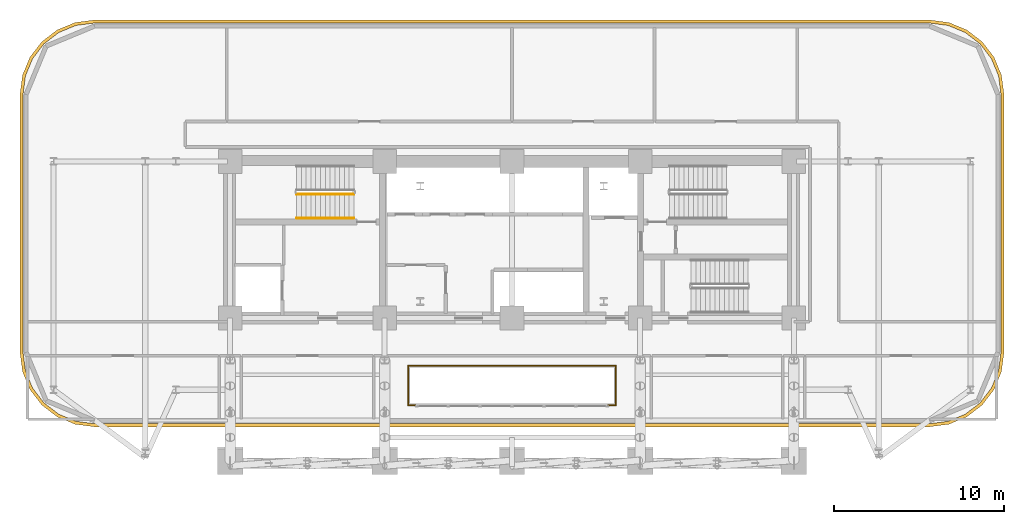
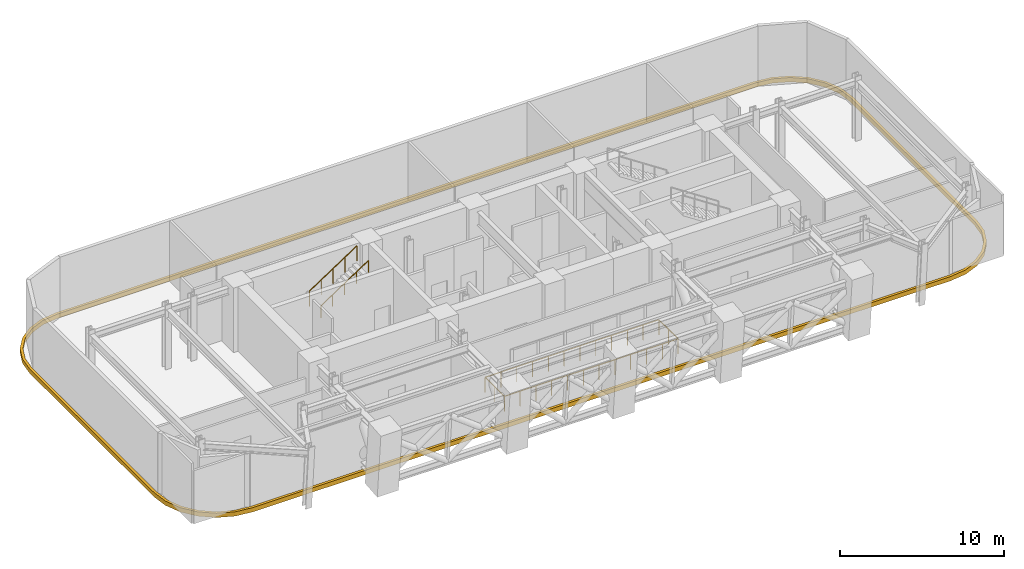
# One storey, part 11 of 12: 3 railings, 1 covering.
"""IFC4 building model written with IfcOpenShell, lengths in metres."""

import ifcopenshell
import ifcopenshell.guid

model = None  # the IFC model being written
_history = None  # IfcOwnerHistory: only IFC2X3 demands one
_inside = {}  # id of a spatial element -> (the spatial element, [elements in it])
_under = {}  # id of a project, library or spatial element -> (it, [spatial elements below it])
_declared = {}  # id of a project -> (the project, [libraries it declares])
_typed = {}  # id of a type object -> (the type object, [elements of that type])
_made_of = {}  # id of a material, layer set ... -> (it, [elements and type objects made of it])


def new_model(schema):
    """Start an empty IFC model of exactly this schema.

    Asked for "IFC4X3", IfcOpenShell would pick the latest addendum, in which some entities
    have other attributes; the version numbers below select the first issue.
    IFC2X3 requires an IfcOwnerHistory on every rooted entity: one is made here for all.
    """
    global model, _history
    if schema == "IFC4X3":
        model = ifcopenshell.file(schema_version=(4, 3, 0, 0))
    else:
        model = ifcopenshell.file(schema=schema)
    _inside.clear()
    _under.clear()
    _declared.clear()
    _typed.clear()
    _made_of.clear()
    _history = None
    if model.schema == "IFC2X3":
        org = make("IfcOrganization", Name="unknown")
        user = make(
            "IfcPersonAndOrganization",
            ThePerson=make("IfcPerson", FamilyName="unknown"),
            TheOrganization=org,
        )
        app = make(
            "IfcApplication",
            ApplicationDeveloper=org,
            Version="unknown",
            ApplicationFullName="unknown",
            ApplicationIdentifier="unknown",
        )
        _history = make(
            "IfcOwnerHistory",
            OwningUser=user,
            OwningApplication=app,
            ChangeAction="ADDED",
            CreationDate=0,
        )
    return model


def make(cls, **values):
    """One entity of the class cls with the attributes given. An attribute that is None is left unset."""
    return model.create_entity(
        cls, **{name: value for name, value in values.items() if value is not None}
    )


def rooted(cls, **values):
    """An entity with a GlobalId (a new one), such as an element, a storey or a relation."""
    return make(cls, GlobalId=ifcopenshell.guid.new(), OwnerHistory=_history, **values)


def si_unit(unit_type, name, prefix=None):
    """IfcSIUnit, for example si_unit("LENGTHUNIT", "METRE", prefix="MILLI")."""
    return make("IfcSIUnit", UnitType=unit_type, Prefix=prefix, Name=name)


def assignment(units):
    """IfcUnitAssignment: the units of a project."""
    return None if units is None else make("IfcUnitAssignment", Units=units)


def point(xyz):
    """IfcCartesianPoint."""
    return None if xyz is None else make("IfcCartesianPoint", Coordinates=xyz)


def direction(xyz):
    """IfcDirection."""
    return None if xyz is None else make("IfcDirection", DirectionRatios=xyz)


def frame(location, z_axis=None, x_axis=None):
    """IfcAxis2Placement3D, a coordinate frame: its origin and axes. An axis left out is left unset."""
    return make(
        "IfcAxis2Placement3D",
        Location=point(location),
        Axis=direction(z_axis),
        RefDirection=direction(x_axis),
    )


def frame_2d(location, x_axis=None):
    """IfcAxis2Placement2D, a coordinate frame in the plane: its origin and x axis."""
    return make(
        "IfcAxis2Placement2D", Location=point(location), RefDirection=direction(x_axis)
    )


def origin():
    """The frame at (0, 0, 0) with its axes left unset."""
    return frame((0.0, 0.0, 0.0))


def origin_2d():
    """The frame at (0, 0) in the plane with its x axis left unset."""
    return frame_2d((0.0, 0.0))


def place(relative_to, where):
    """IfcLocalPlacement: puts the frame where relative to a parent placement (None: the world)."""
    return make(
        "IfcLocalPlacement", PlacementRelTo=relative_to, RelativePlacement=where
    )


def context(
    kind, dimensions, precision=None, world=None, true_north=None, identifier=None
):
    """IfcGeometricRepresentationContext, for example the 3D "Model" context."""
    return make(
        "IfcGeometricRepresentationContext",
        ContextIdentifier=identifier,
        ContextType=kind,
        CoordinateSpaceDimension=dimensions,
        Precision=precision,
        WorldCoordinateSystem=world,
        TrueNorth=true_north,
    )


def subcontext(parent, identifier, kind, view, scale=None):
    """IfcGeometricRepresentationSubContext, for example "Body" below "Model"."""
    return make(
        "IfcGeometricRepresentationSubContext",
        ContextIdentifier=identifier,
        ContextType=kind,
        ParentContext=parent,
        TargetScale=scale,
        TargetView=view,
    )


def project(units=None, contexts=None):
    """IfcProject with its units and contexts."""
    return rooted(
        "IfcProject",
        Name="project",
        RepresentationContexts=contexts,
        UnitsInContext=assignment(units),
    )


def spatial(cls, under=None, at=None, **own):
    """A site, building, storey or space (cls), placed at a placement, below another one or the project."""
    s = rooted(cls, ObjectPlacement=at, **own)
    if under is not None:
        _under.setdefault(under.id(), (under, []))[1].append(s)
    return s


def polyline(points):
    """IfcPolyline through the points."""
    return make("IfcPolyline", Points=[point(p) for p in points])


def profile(cls, at=None, kind="AREA", **sizes):
    """A parametric profile (cls). Its sizes go by their IFC names, for example OverallWidth=200.0."""
    return make(cls, ProfileType=kind, Position=at, **sizes)


def rectangle(**sizes):
    """IfcRectangleProfileDef."""
    return profile("IfcRectangleProfileDef", **sizes)


def outline(outer, holes=None, kind="AREA"):
    """IfcArbitraryClosedProfileDef: a profile drawn as a closed curve; with holes, ...WithVoids."""
    if holes is None:
        return make("IfcArbitraryClosedProfileDef", ProfileType=kind, OuterCurve=outer)
    return make(
        "IfcArbitraryProfileDefWithVoids",
        ProfileType=kind,
        OuterCurve=outer,
        InnerCurves=holes,
    )


def extrude(swept, where, along, depth):
    """IfcExtrudedAreaSolid: the profile swept, set in the frame where, extruded along a direction by depth."""
    return make(
        "IfcExtrudedAreaSolid",
        SweptArea=swept,
        Position=where,
        ExtrudedDirection=direction(along),
        Depth=depth,
    )


def shape(context_of_items, identifier, shape_type, items):
    """IfcShapeRepresentation: the items that make up one representation, for example the "Body"."""
    return make(
        "IfcShapeRepresentation",
        ContextOfItems=context_of_items,
        RepresentationIdentifier=identifier,
        RepresentationType=shape_type,
        Items=items,
    )


def material(Name=None, Category=None):
    """IfcMaterial."""
    return make("IfcMaterial", Name=Name, Category=Category)


def made_of(thing, what):
    """Note that an element or type object is made of a material, layer set ...; save() writes the relation."""
    if what is not None:
        _made_of.setdefault(what.id(), (what, []))[1].append(thing)
    return thing


def type_object(cls, material=None, **own):
    """A type object (cls), such as IfcWallType, which elements share."""
    return made_of(rooted(cls, **own), material)


def element(
    cls,
    number,
    at=None,
    inside=None,
    cuts=None,
    type_object=None,
    material=None,
    context=None,
    identifier="Body",
    shape_type=None,
    held_by="IfcProductDefinitionShape",
    body=None,
    shapes=None,
    **own,
):
    """One element of the class cls, such as IfcWall. Its Tag is "e" and its number.

    at: its placement. inside: the storey or other place that contains it. cuts: it is an
    opening in that element (IfcRelVoidsElement). A single representation is given by context,
    identifier, shape_type and body (its items); several are given by shapes. held_by: the class
    of the entity that holds the representations. save() writes the other relations.
    """
    e = rooted(cls, Tag="e%d" % number, ObjectPlacement=at, **own)
    if body is not None:
        shapes = [shape(context, identifier, shape_type, body)]
    if shapes is not None:
        e.Representation = make(held_by, Representations=shapes)
    if inside is not None:
        _inside.setdefault(inside.id(), (inside, []))[1].append(e)
    if cuts is not None:
        rooted(
            "IfcRelVoidsElement", RelatingBuildingElement=cuts, RelatedOpeningElement=e
        )
    if type_object is not None:
        _typed.setdefault(type_object.id(), (type_object, []))[1].append(e)
    return made_of(e, material)


def aggregate(whole, parts):
    """IfcRelAggregates: a whole, such as a stair, and the parts it consists of."""
    return rooted("IfcRelAggregates", RelatingObject=whole, RelatedObjects=parts)


def save(model, path):
    """Write the relations noted so far, then the file.

    IfcRelAggregates (storeys below a building ...), IfcRelContainedInSpatialStructure (elements
    in a storey), IfcRelDefinesByType, IfcRelAssociatesMaterial and IfcRelDeclares: one each for
    every whole, place, type object, material and project.
    """
    for whole, parts in _under.values():
        aggregate(whole, parts)
    for where, things in _inside.values():
        rooted(
            "IfcRelContainedInSpatialStructure",
            RelatedElements=things,
            RelatingStructure=where,
        )
    for kind, things in _typed.values():
        rooted("IfcRelDefinesByType", RelatedObjects=things, RelatingType=kind)
    for what, things in _made_of.values():
        rooted("IfcRelAssociatesMaterial", RelatedObjects=things, RelatingMaterial=what)
    for by, libraries in _declared.values():
        rooted("IfcRelDeclares", RelatingContext=by, RelatedDefinitions=libraries)
    model.write(path)


model = new_model("IFC4")

# Units and contexts
model_context = context("Model", 3, precision=1e-05, world=origin(), true_north=direction((0.0, 1.0)))
body_context = subcontext(model_context, "Body", "Model", "MODEL_VIEW")
ifc_project = project(units=[si_unit("LENGTHUNIT", "METRE"), si_unit("AREAUNIT", "SQUARE_METRE"), si_unit("VOLUMEUNIT", "CUBIC_METRE"), si_unit("PLANEANGLEUNIT", "RADIAN"), si_unit("MASSUNIT", "GRAM", prefix="KILO")], contexts=[model_context])

# Site, building, storey
site_placement = place(None, origin())
site = spatial("IfcSite", under=ifc_project, at=site_placement, CompositionType="ELEMENT")
building_placement = place(site_placement, origin())
building = spatial("IfcBuilding", under=site, at=building_placement, Name="Zarnavel Station Tower", CompositionType="ELEMENT")
storey_placement = place(building_placement, frame((0.0, 0.0, 74.5)))
storey = spatial("IfcBuildingStorey", under=building, at=storey_placement, Name="L20", CompositionType="ELEMENT", Elevation=74.5)

# Covering
ifc_material_1 = material(Name="Precast concrete C45/55 (Pale Travertine Slab Band)", Category="masonry")
covering_type = type_object("IfcCoveringType", Name="COV_TRAVERTINE_BAND", PredefinedType="CLADDING", material=ifc_material_1)
covering_placement = place(storey_placement, frame((0.0, 0.0, -0.260009765625)))
element("IfcCovering", 1, at=covering_placement, inside=storey, type_object=covering_type, Name="L20 Pale Travertine Slab-Edge Band", PredefinedType="CLADDING", context=body_context, shape_type="SweptSolid", body=[
    extrude(outline(polyline([(53.39990234375, 21.419921875), (54.53369140625, 21.569091796875), (55.590087890625, 22.0068359375), (56.4970703125, 22.702880859375), (57.193115234375, 23.610107421875), (57.630859375, 24.66650390625), (57.780029296875, 25.800048828125), (57.780029296875, 41.0), (57.630859375, 42.133544921875), (57.193115234375, 43.18994140625), (56.4970703125, 44.09716796875), (55.590087890625, 44.793212890625), (54.53369140625, 45.230712890625), (53.39990234375, 45.3798828125), (4.199951171875, 45.3798828125), (3.06640625, 45.230712890625), (2.010009765625, 44.793212890625), (1.102783203125, 44.09716796875), (0.40673828125, 43.18994140625), (-0.03076171875, 42.133544921875), (-0.179931640625, 41.0), (-0.179931640625, 25.800048828125), (-0.03076171875, 24.66650390625), (0.40673828125, 23.610107421875), (1.102783203125, 22.702880859375), (2.010009765625, 22.0068359375), (3.06640625, 21.569091796875), (4.199951171875, 21.419921875), (53.39990234375, 21.419921875)]), holes=[polyline([(53.39990234375, 21.60009765625), (54.487060546875, 21.7431640625), (55.5, 22.16259765625), (56.369873046875, 22.830078125), (57.037353515625, 23.699951171875), (57.456787109375, 24.712890625), (57.60009765625, 25.800048828125), (57.60009765625, 41.0), (57.456787109375, 42.0869140625), (57.037353515625, 43.10009765625), (56.369873046875, 43.9697265625), (55.5, 44.63720703125), (54.487060546875, 45.056884765625), (53.39990234375, 45.199951171875), (4.199951171875, 45.199951171875), (3.113037109375, 45.056884765625), (2.10009765625, 44.63720703125), (1.230224609375, 43.9697265625), (0.562744140625, 43.10009765625), (0.14306640625, 42.0869140625), (0.0, 41.0), (0.0, 25.800048828125), (0.14306640625, 24.712890625), (0.562744140625, 23.699951171875), (1.230224609375, 22.830078125), (2.10009765625, 22.16259765625), (3.113037109375, 21.7431640625), (4.199951171875, 21.60009765625), (53.39990234375, 21.60009765625)])]), origin(), (0.0, 0.0, 1.0), 0.320068359375),
])

# Railings
ifc_material_2 = material(Name="Painted Steel S355J2 Balustrade", Category="steel")
railing_type_1 = type_object("IfcRailingType", Name="GR_INT_1150", PredefinedType="GUARDRAIL", material=ifc_material_2)
railing_1_placement = place(storey_placement, frame((16.1201171875, 35.110107421875, 2.584716796875)))
element("IfcRailing", 2, at=railing_1_placement, inside=storey, type_object=railing_type_1, Name="L20 ST1 stair guard 3", PredefinedType="GUARDRAIL", context=body_context, shape_type="SweptSolid", body=[
    extrude(rectangle(XDim=0.048095703125, YDim=0.048095703125, at=origin_2d()), frame((0.001708984375, 0.0, 1.126953125), z_axis=(0.834858096282, 0.0, 0.550465220583), x_axis=(0.0, 1.0, 0.0)), (0.0, 0.0, 1.0), 4.0205078125),
    extrude(rectangle(XDim=0.0419921875, YDim=0.0419921875, at=origin_2d()), origin(), (0.0, 0.0, 1.0), 1.101806640625),
    extrude(rectangle(XDim=0.0419921875, YDim=0.0419921875, at=origin_2d()), frame((0.83984375, 0.0, 0.5537109375)), (0.0, 0.0, 1.0), 1.101806640625),
    extrude(rectangle(XDim=0.0419921875, YDim=0.0419921875, at=origin_2d()), frame((1.679931640625, 0.0, 1.107666015625)), (0.0, 0.0, 1.0), 1.101806640625),
    extrude(rectangle(XDim=0.0419921875, YDim=0.0419921875, at=origin_2d()), frame((2.52001953125, 0.0, 1.66162109375)), (0.0, 0.0, 1.0), 1.101806640625),
    extrude(rectangle(XDim=0.0419921875, YDim=0.0419921875, at=origin_2d()), frame((3.35986328125, 0.0, 2.21533203125)), (0.0, 0.0, 1.0), 1.101806640625),
])
railing_2_placement = place(storey_placement, frame((22.679931640625, 22.679931640625, 0.0)))
element("IfcRailing", 3, at=railing_2_placement, inside=storey, type_object=railing_type_1, Name="L20 Atrium Void Guardrail", PredefinedType="GUARDRAIL", context=body_context, shape_type="SweptSolid", body=[
    extrude(rectangle(XDim=0.048095703125, YDim=0.048095703125, at=origin_2d()), frame((0.001953125, 0.0, 1.1259765625), z_axis=(1.0, 0.0, 0.0), x_axis=(0.0, 1.0, 0.0)), (0.0, 0.0, 1.0), 12.236083984375),
    extrude(rectangle(XDim=0.048095703125, YDim=0.048095703125, at=origin_2d()), frame((12.239990234375, 0.001953125, 1.1259765625), z_axis=(0.0, 1.0, 0.0), x_axis=(-1.0, 0.0, 0.0)), (0.0, 0.0, 1.0), 2.336181640625),
    extrude(rectangle(XDim=0.048095703125, YDim=0.048095703125, at=origin_2d()), frame((12.238037109375, 2.340087890625, 1.1259765625), z_axis=(-1.0, 0.0, 0.0), x_axis=(0.0, -1.0, 0.0)), (0.0, 0.0, 1.0), 12.236083984375),
    extrude(rectangle(XDim=0.048095703125, YDim=0.048095703125, at=origin_2d()), frame((0.0, 2.338134765625, 1.1259765625), z_axis=(0.0, -1.0, 0.0), x_axis=(1.0, 0.0, 0.0)), (0.0, 0.0, 1.0), 2.336181640625),
    extrude(rectangle(XDim=0.0419921875, YDim=0.0419921875, at=origin_2d()), origin(), (0.0, 0.0, 1.0), 1.101806640625),
    extrude(rectangle(XDim=0.0419921875, YDim=0.0419921875, at=origin_2d()), frame((1.11279296875, 0.0, 0.0)), (0.0, 0.0, 1.0), 1.101806640625),
    extrude(rectangle(XDim=0.0419921875, YDim=0.0419921875, at=origin_2d()), frame((2.225341796875, 0.0, 0.0)), (0.0, 0.0, 1.0), 1.101806640625),
    extrude(rectangle(XDim=0.0419921875, YDim=0.0419921875, at=origin_2d()), frame((3.338134765625, 0.0, 0.0)), (0.0, 0.0, 1.0), 1.101806640625),
    extrude(rectangle(XDim=0.0419921875, YDim=0.0419921875, at=origin_2d()), frame((4.450927734375, 0.0, 0.0)), (0.0, 0.0, 1.0), 1.101806640625),
    extrude(rectangle(XDim=0.0419921875, YDim=0.0419921875, at=origin_2d()), frame((5.563720703125, 0.0, 0.0)), (0.0, 0.0, 1.0), 1.101806640625),
    extrude(rectangle(XDim=0.0419921875, YDim=0.0419921875, at=origin_2d()), frame((6.67626953125, 0.0, 0.0)), (0.0, 0.0, 1.0), 1.101806640625),
    extrude(rectangle(XDim=0.0419921875, YDim=0.0419921875, at=origin_2d()), frame((7.7890625, 0.0, 0.0)), (0.0, 0.0, 1.0), 1.101806640625),
    extrude(rectangle(XDim=0.0419921875, YDim=0.0419921875, at=origin_2d()), frame((8.90185546875, 0.0, 0.0)), (0.0, 0.0, 1.0), 1.101806640625),
    extrude(rectangle(XDim=0.0419921875, YDim=0.0419921875, at=origin_2d()), frame((10.0146484375, 0.0, 0.0)), (0.0, 0.0, 1.0), 1.101806640625),
    extrude(rectangle(XDim=0.0419921875, YDim=0.0419921875, at=origin_2d()), frame((11.127197265625, 0.0, 0.0)), (0.0, 0.0, 1.0), 1.101806640625),
    extrude(rectangle(XDim=0.0419921875, YDim=0.0419921875, at=origin_2d()), frame((12.239990234375, 0.0, 0.0)), (0.0, 0.0, 1.0), 1.101806640625),
    extrude(rectangle(XDim=0.0419921875, YDim=0.0419921875, at=origin_2d()), frame((12.239990234375, 1.169921875, 0.0)), (0.0, 0.0, 1.0), 1.101806640625),
    extrude(rectangle(XDim=0.0419921875, YDim=0.0419921875, at=origin_2d()), frame((12.239990234375, 2.340087890625, 0.0)), (0.0, 0.0, 1.0), 1.101806640625),
    extrude(rectangle(XDim=0.0419921875, YDim=0.0419921875, at=origin_2d()), frame((11.127197265625, 2.340087890625, 0.0)), (0.0, 0.0, 1.0), 1.101806640625),
    extrude(rectangle(XDim=0.0419921875, YDim=0.0419921875, at=origin_2d()), frame((10.0146484375, 2.340087890625, 0.0)), (0.0, 0.0, 1.0), 1.101806640625),
    extrude(rectangle(XDim=0.0419921875, YDim=0.0419921875, at=origin_2d()), frame((8.90185546875, 2.340087890625, 0.0)), (0.0, 0.0, 1.0), 1.101806640625),
    extrude(rectangle(XDim=0.0419921875, YDim=0.0419921875, at=origin_2d()), frame((7.7890625, 2.340087890625, 0.0)), (0.0, 0.0, 1.0), 1.101806640625),
    extrude(rectangle(XDim=0.0419921875, YDim=0.0419921875, at=origin_2d()), frame((6.67626953125, 2.340087890625, 0.0)), (0.0, 0.0, 1.0), 1.101806640625),
    extrude(rectangle(XDim=0.0419921875, YDim=0.0419921875, at=origin_2d()), frame((5.563720703125, 2.340087890625, 0.0)), (0.0, 0.0, 1.0), 1.101806640625),
    extrude(rectangle(XDim=0.0419921875, YDim=0.0419921875, at=origin_2d()), frame((4.450927734375, 2.340087890625, 0.0)), (0.0, 0.0, 1.0), 1.101806640625),
    extrude(rectangle(XDim=0.0419921875, YDim=0.0419921875, at=origin_2d()), frame((3.338134765625, 2.340087890625, 0.0)), (0.0, 0.0, 1.0), 1.101806640625),
    extrude(rectangle(XDim=0.0419921875, YDim=0.0419921875, at=origin_2d()), frame((2.225341796875, 2.340087890625, 0.0)), (0.0, 0.0, 1.0), 1.101806640625),
    extrude(rectangle(XDim=0.0419921875, YDim=0.0419921875, at=origin_2d()), frame((1.11279296875, 2.340087890625, 0.0)), (0.0, 0.0, 1.0), 1.101806640625),
    extrude(rectangle(XDim=0.0419921875, YDim=0.0419921875, at=origin_2d()), frame((0.0, 2.340087890625, 0.0)), (0.0, 0.0, 1.0), 1.101806640625),
    extrude(rectangle(XDim=0.0419921875, YDim=0.0419921875, at=origin_2d()), frame((0.0, 1.169921875, 0.0)), (0.0, 0.0, 1.0), 1.101806640625),
])
ifc_material_3 = material(Name="Brushed Stainless Steel S355J2 Handrail", Category="steel")
railing_type_2 = type_object("IfcRailingType", Name="HR_STAIR_900", PredefinedType="HANDRAIL", material=ifc_material_3)
railing_3_placement = place(storey_placement, frame((16.1201171875, 33.7099609375, 2.584716796875)))
element("IfcRailing", 4, at=railing_3_placement, inside=storey, type_object=railing_type_2, Name="L20 ST1 stair handrail 2", PredefinedType="HANDRAIL", context=body_context, shape_type="SweptSolid", body=[
    extrude(rectangle(XDim=0.048095703125, YDim=0.048095703125, at=origin_2d()), frame((0.001708984375, 0.0, 0.876953125), z_axis=(0.834858096282, 0.0, 0.550465220583), x_axis=(0.0, 1.0, 0.0)), (0.0, 0.0, 1.0), 4.0205078125),
    extrude(rectangle(XDim=0.0419921875, YDim=0.0419921875, at=origin_2d()), origin(), (0.0, 0.0, 1.0), 0.851806640625),
    extrude(rectangle(XDim=0.0419921875, YDim=0.0419921875, at=origin_2d()), frame((0.83984375, 0.0, 0.5537109375)), (0.0, 0.0, 1.0), 0.851806640625),
    extrude(rectangle(XDim=0.0419921875, YDim=0.0419921875, at=origin_2d()), frame((1.679931640625, 0.0, 1.107666015625)), (0.0, 0.0, 1.0), 0.851806640625),
    extrude(rectangle(XDim=0.0419921875, YDim=0.0419921875, at=origin_2d()), frame((2.52001953125, 0.0, 1.66162109375)), (0.0, 0.0, 1.0), 0.851806640625),
    extrude(rectangle(XDim=0.0419921875, YDim=0.0419921875, at=origin_2d()), frame((3.35986328125, 0.0, 2.21533203125)), (0.0, 0.0, 1.0), 0.851806640625),
])

save(model, "model.ifc")
